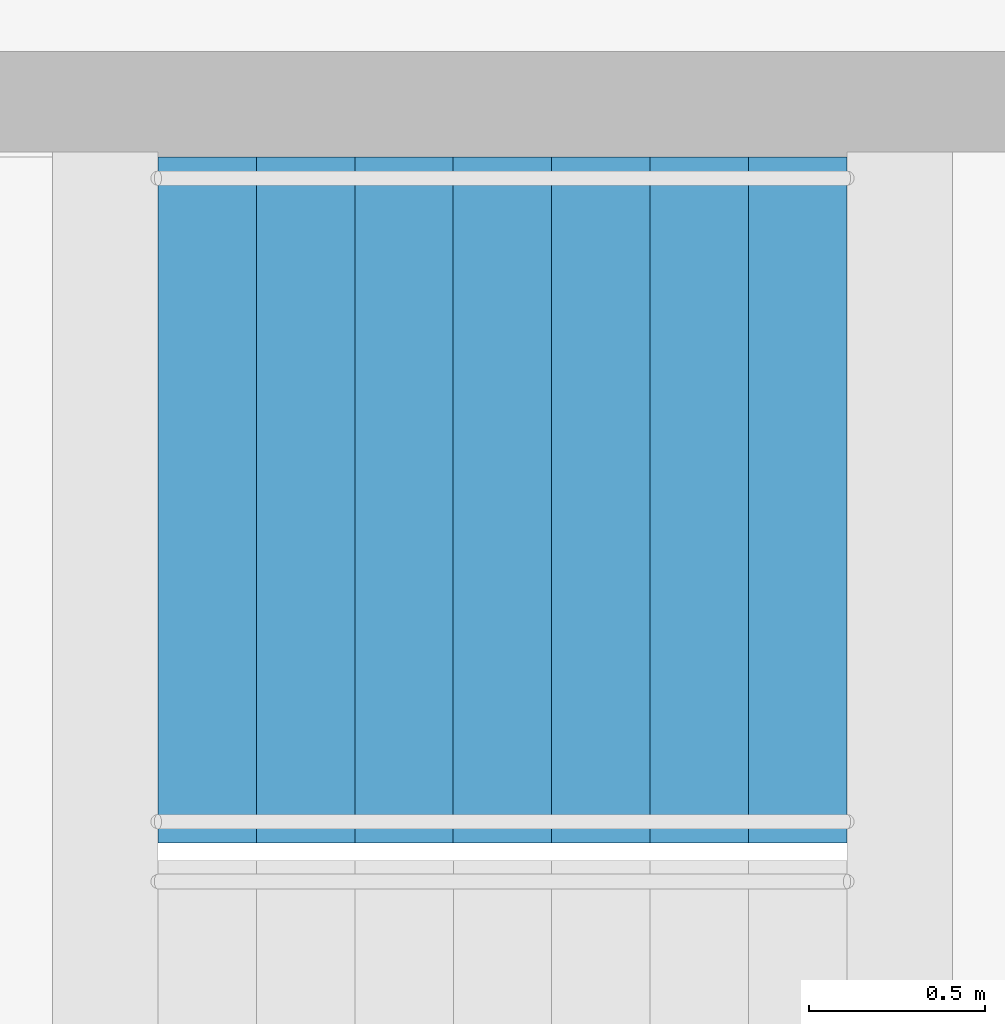
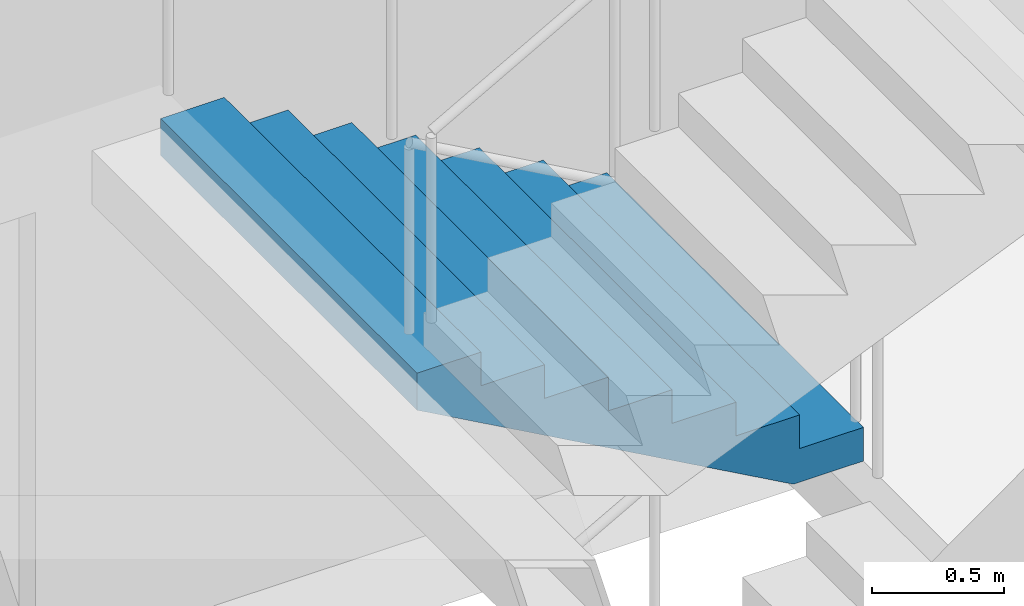
# One storey, part 22 of 37: 1 stair flight, 1 element without a shape of its own.
"""IFC4 building model written with IfcOpenShell, lengths in metres."""

import ifcopenshell
import ifcopenshell.guid

model = None  # the IFC model being written
_history = None  # IfcOwnerHistory: only IFC2X3 demands one
_inside = {}  # id of a spatial element -> (the spatial element, [elements in it])
_under = {}  # id of a project, library or spatial element -> (it, [spatial elements below it])
_declared = {}  # id of a project -> (the project, [libraries it declares])
_typed = {}  # id of a type object -> (the type object, [elements of that type])
_made_of = {}  # id of a material, layer set ... -> (it, [elements and type objects made of it])


def new_model(schema):
    """Start an empty IFC model of exactly this schema.

    Asked for "IFC4X3", IfcOpenShell would pick the latest addendum, in which some entities
    have other attributes; the version numbers below select the first issue.
    IFC2X3 requires an IfcOwnerHistory on every rooted entity: one is made here for all.
    """
    global model, _history
    if schema == "IFC4X3":
        model = ifcopenshell.file(schema_version=(4, 3, 0, 0))
    else:
        model = ifcopenshell.file(schema=schema)
    _inside.clear()
    _under.clear()
    _declared.clear()
    _typed.clear()
    _made_of.clear()
    _history = None
    if model.schema == "IFC2X3":
        org = make("IfcOrganization", Name="unknown")
        user = make(
            "IfcPersonAndOrganization",
            ThePerson=make("IfcPerson", FamilyName="unknown"),
            TheOrganization=org,
        )
        app = make(
            "IfcApplication",
            ApplicationDeveloper=org,
            Version="unknown",
            ApplicationFullName="unknown",
            ApplicationIdentifier="unknown",
        )
        _history = make(
            "IfcOwnerHistory",
            OwningUser=user,
            OwningApplication=app,
            ChangeAction="ADDED",
            CreationDate=0,
        )
    return model


def make(cls, **values):
    """One entity of the class cls with the attributes given. An attribute that is None is left unset."""
    return model.create_entity(
        cls, **{name: value for name, value in values.items() if value is not None}
    )


def rooted(cls, **values):
    """An entity with a GlobalId (a new one), such as an element, a storey or a relation."""
    return make(cls, GlobalId=ifcopenshell.guid.new(), OwnerHistory=_history, **values)


def si_unit(unit_type, name, prefix=None):
    """IfcSIUnit, for example si_unit("LENGTHUNIT", "METRE", prefix="MILLI")."""
    return make("IfcSIUnit", UnitType=unit_type, Prefix=prefix, Name=name)


def assignment(units):
    """IfcUnitAssignment: the units of a project."""
    return None if units is None else make("IfcUnitAssignment", Units=units)


def point(xyz):
    """IfcCartesianPoint."""
    return None if xyz is None else make("IfcCartesianPoint", Coordinates=xyz)


def direction(xyz):
    """IfcDirection."""
    return None if xyz is None else make("IfcDirection", DirectionRatios=xyz)


def frame(location, z_axis=None, x_axis=None):
    """IfcAxis2Placement3D, a coordinate frame: its origin and axes. An axis left out is left unset."""
    return make(
        "IfcAxis2Placement3D",
        Location=point(location),
        Axis=direction(z_axis),
        RefDirection=direction(x_axis),
    )


def origin():
    """The frame at (0, 0, 0) with its axes left unset."""
    return frame((0.0, 0.0, 0.0))


def place(relative_to, where):
    """IfcLocalPlacement: puts the frame where relative to a parent placement (None: the world)."""
    return make(
        "IfcLocalPlacement", PlacementRelTo=relative_to, RelativePlacement=where
    )


def context(
    kind, dimensions, precision=None, world=None, true_north=None, identifier=None
):
    """IfcGeometricRepresentationContext, for example the 3D "Model" context."""
    return make(
        "IfcGeometricRepresentationContext",
        ContextIdentifier=identifier,
        ContextType=kind,
        CoordinateSpaceDimension=dimensions,
        Precision=precision,
        WorldCoordinateSystem=world,
        TrueNorth=true_north,
    )


def subcontext(parent, identifier, kind, view, scale=None):
    """IfcGeometricRepresentationSubContext, for example "Body" below "Model"."""
    return make(
        "IfcGeometricRepresentationSubContext",
        ContextIdentifier=identifier,
        ContextType=kind,
        ParentContext=parent,
        TargetScale=scale,
        TargetView=view,
    )


def project(units=None, contexts=None):
    """IfcProject with its units and contexts."""
    return rooted(
        "IfcProject",
        Name="project",
        RepresentationContexts=contexts,
        UnitsInContext=assignment(units),
    )


def spatial(cls, under=None, at=None, **own):
    """A site, building, storey or space (cls), placed at a placement, below another one or the project."""
    s = rooted(cls, ObjectPlacement=at, **own)
    if under is not None:
        _under.setdefault(under.id(), (under, []))[1].append(s)
    return s


def point_list(points):
    """IfcCartesianPointList2D or 3D."""
    cls = (
        "IfcCartesianPointList2D" if len(points[0]) == 2 else "IfcCartesianPointList3D"
    )
    return make(cls, CoordList=points)


def triangles(points, corners, closed=None, point_numbers=None):
    """IfcTriangulatedFaceSet: each triangle names its three corners, points numbered from 1."""
    return make(
        "IfcTriangulatedFaceSet",
        Coordinates=point_list(points),
        Closed=closed,
        CoordIndex=corners,
        PnIndex=point_numbers,
    )


def shape(context_of_items, identifier, shape_type, items):
    """IfcShapeRepresentation: the items that make up one representation, for example the "Body"."""
    return make(
        "IfcShapeRepresentation",
        ContextOfItems=context_of_items,
        RepresentationIdentifier=identifier,
        RepresentationType=shape_type,
        Items=items,
    )


def material(Name=None, Category=None):
    """IfcMaterial."""
    return make("IfcMaterial", Name=Name, Category=Category)


def made_of(thing, what):
    """Note that an element or type object is made of a material, layer set ...; save() writes the relation."""
    if what is not None:
        _made_of.setdefault(what.id(), (what, []))[1].append(thing)
    return thing


def type_object(cls, material=None, **own):
    """A type object (cls), such as IfcWallType, which elements share."""
    return made_of(rooted(cls, **own), material)


def element(
    cls,
    number,
    at=None,
    inside=None,
    cuts=None,
    type_object=None,
    material=None,
    context=None,
    identifier="Body",
    shape_type=None,
    held_by="IfcProductDefinitionShape",
    body=None,
    shapes=None,
    **own,
):
    """One element of the class cls, such as IfcWall. Its Tag is "e" and its number.

    at: its placement. inside: the storey or other place that contains it. cuts: it is an
    opening in that element (IfcRelVoidsElement). A single representation is given by context,
    identifier, shape_type and body (its items); several are given by shapes. held_by: the class
    of the entity that holds the representations. save() writes the other relations.
    """
    e = rooted(cls, Tag="e%d" % number, ObjectPlacement=at, **own)
    if body is not None:
        shapes = [shape(context, identifier, shape_type, body)]
    if shapes is not None:
        e.Representation = make(held_by, Representations=shapes)
    if inside is not None:
        _inside.setdefault(inside.id(), (inside, []))[1].append(e)
    if cuts is not None:
        rooted(
            "IfcRelVoidsElement", RelatingBuildingElement=cuts, RelatedOpeningElement=e
        )
    if type_object is not None:
        _typed.setdefault(type_object.id(), (type_object, []))[1].append(e)
    return made_of(e, material)


def aggregate(whole, parts):
    """IfcRelAggregates: a whole, such as a stair, and the parts it consists of."""
    return rooted("IfcRelAggregates", RelatingObject=whole, RelatedObjects=parts)


def save(model, path):
    """Write the relations noted so far, then the file.

    IfcRelAggregates (storeys below a building ...), IfcRelContainedInSpatialStructure (elements
    in a storey), IfcRelDefinesByType, IfcRelAssociatesMaterial and IfcRelDeclares: one each for
    every whole, place, type object, material and project.
    """
    for whole, parts in _under.values():
        aggregate(whole, parts)
    for where, things in _inside.values():
        rooted(
            "IfcRelContainedInSpatialStructure",
            RelatedElements=things,
            RelatingStructure=where,
        )
    for kind, things in _typed.values():
        rooted("IfcRelDefinesByType", RelatedObjects=things, RelatingType=kind)
    for what, things in _made_of.values():
        rooted("IfcRelAssociatesMaterial", RelatedObjects=things, RelatingMaterial=what)
    for by, libraries in _declared.values():
        rooted("IfcRelDeclares", RelatingContext=by, RelatedDefinitions=libraries)
    model.write(path)


model = new_model("IFC4")

# Units and contexts
model_context = context("Model", 3, precision=1e-05, world=origin(), true_north=direction((0.0, 1.0)))
body_context = subcontext(model_context, "Body", "Model", "MODEL_VIEW")
ifc_project = project(units=[si_unit("LENGTHUNIT", "METRE"), si_unit("AREAUNIT", "SQUARE_METRE"), si_unit("VOLUMEUNIT", "CUBIC_METRE"), si_unit("PLANEANGLEUNIT", "RADIAN"), si_unit("MASSUNIT", "GRAM", prefix="KILO")], contexts=[model_context])

# Site, building, storey
site_placement = place(None, origin())
site = spatial("IfcSite", under=ifc_project, at=site_placement, CompositionType="ELEMENT")
building_placement = place(site_placement, origin())
building = spatial("IfcBuilding", under=site, at=building_placement, Name="Orbita Commons", CompositionType="ELEMENT")
storey_placement = place(building_placement, frame((0.0, 0.0, 6.0)))
storey = spatial("IfcBuildingStorey", under=building, at=storey_placement, Name="L01", CompositionType="ELEMENT", Elevation=6.0)

# Stair, stair flight
ifc_material_1 = material(Name="Precast concrete C40/50", Category="concrete")
stair_type = type_object("IfcStairType", Name="Exit stair S1 4 flights 8 risers 156", PredefinedType="HALF_TURN_STAIR", material=ifc_material_1)
stair_placement = place(storey_placement, origin())
stair = element("IfcStair", 1, at=stair_placement, inside=storey, type_object=stair_type, Name="Exit stair S1 L01", PredefinedType="HALF_TURN_STAIR")
ifc_material_2 = material(Name="Precast concrete C40/50", Category="concrete")
stair_flight_type = type_object("IfcStairFlightType", Name="Stair flight 8 risers 156 x 280", PredefinedType="STRAIGHT", material=ifc_material_2)
stair_flight_placement = place(storey_placement, frame((22.409912109375, 29.27490234375, 1.25), z_axis=(0.0, 0.0, 1.0), x_axis=(-1.0, 0.0, 0.0)))
stair_flight = element("IfcStairFlight", 2, at=stair_flight_placement, type_object=stair_flight_type, Name="S1 flight 2", NumberOfRisers=8, NumberOfTreads=7, PredefinedType="STRAIGHT", RiserHeight=0.15625, TreadLength=0.28, context=body_context, shape_type="Tessellation", body=[
    triangles([(0.0, 0.974976, 0.0), (0.0, 0.974976, 0.019531), (0.0, 0.81248, 0.019531), (0.0, 0.81248, 0.0), (0.0, 0.649984, 0.019531), (0.0, 0.649984, 0.0), (0.0, 0.487488, 0.019531), (0.0, 0.487488, 0.0), (0.0, 0.324992, 0.019531), (0.0, 0.324992, 0.0), (0.0, 0.162496, 0.019531), (0.0, 0.162496, 0.0), (0.0, 0.0, 0.019531), (0.0, 0.0, 0.0), (0.0, -0.162496, 0.019531), (0.0, -0.162496, 0.0), (0.0, -0.324992, 0.019531), (0.0, -0.324992, 0.0), (0.0, -0.487488, 0.019531), (0.0, -0.487488, 0.0), (0.0, -0.649984, 0.019531), (0.0, -0.649984, 0.0), (0.0, -0.81248, 0.019531), (0.0, -0.81248, 0.0), (0.0, -0.974976, 0.019531), (0.0, -0.974976, 0.0), (0.0, 0.974976, 0.039062), (0.0, 0.81248, 0.039062), (0.0, 0.649984, 0.039062), (0.0, 0.487488, 0.039062), (0.0, 0.324992, 0.039062), (0.0, 0.162496, 0.039062), (0.0, 0.0, 0.039062), (0.0, -0.162496, 0.039062), (0.0, -0.324992, 0.039062), (0.0, -0.487488, 0.039062), (0.0, -0.649984, 0.039062), (0.0, -0.81248, 0.039062), (0.0, -0.974976, 0.039062), (0.0, 0.974976, 0.058594), (0.0, 0.81248, 0.058594), (0.0, 0.649984, 0.058594), (0.0, 0.487488, 0.058594), (0.0, 0.324992, 0.058594), (0.0, 0.162496, 0.058594), (0.0, 0.0, 0.058594), (0.0, -0.162496, 0.058594), (0.0, -0.324992, 0.058594), (0.0, -0.487488, 0.058594), (0.0, -0.649984, 0.058594), (0.0, -0.81248, 0.058594), (0.0, -0.974976, 0.058594), (0.0, 0.974976, 0.078125), (0.0, 0.81248, 0.078125), (0.0, 0.649984, 0.078125), (0.0, 0.487488, 0.078125), (0.0, 0.324992, 0.078125), (0.0, 0.162496, 0.078125), (0.0, 0.0, 0.078125), (0.0, -0.162496, 0.078125), (0.0, -0.324992, 0.078125), (0.0, -0.487488, 0.078125), (0.0, -0.649984, 0.078125), (0.0, -0.81248, 0.078125), (0.0, -0.974976, 0.078125), (0.0, 0.974976, 0.097656), (0.0, 0.81248, 0.097656), (0.0, 0.649984, 0.097656), (0.0, 0.487488, 0.097656), (0.0, 0.324992, 0.097656), (0.0, 0.162496, 0.097656), (0.0, 0.0, 0.097656), (0.0, -0.162496, 0.097656), (0.0, -0.324992, 0.097656), (0.0, -0.487488, 0.097656), (0.0, -0.649984, 0.097656), (0.0, -0.81248, 0.097656), (0.0, -0.974976, 0.097656), (0.0, 0.974976, 0.117188), (0.0, 0.81248, 0.117188), (0.0, 0.649984, 0.117188), (0.0, 0.487488, 0.117188), (0.0, 0.324992, 0.117188), (0.0, 0.162496, 0.117188), (0.0, 0.0, 0.117188), (0.0, -0.162496, 0.117188), (0.0, -0.324992, 0.117188), (0.0, -0.487488, 0.117188), (0.0, -0.649984, 0.117188), (0.0, -0.81248, 0.117188), (0.0, -0.974976, 0.117188), (0.0, 0.974976, 0.136719), (0.0, 0.81248, 0.136719), (0.0, 0.649984, 0.136719), (0.0, 0.487488, 0.136719), (0.0, 0.324992, 0.136719), (0.0, 0.162496, 0.136719), (0.0, 0.0, 0.136719), (0.0, -0.162496, 0.136719), (0.0, -0.324992, 0.136719), (0.0, -0.487488, 0.136719), (0.0, -0.649984, 0.136719), (0.0, -0.81248, 0.136719), (0.0, -0.974976, 0.136719), (0.0, 0.974976, 0.15625), (0.0, 0.81248, 0.15625), (0.0, 0.649984, 0.15625), (0.0, 0.487488, 0.15625), (0.0, 0.324992, 0.15625), (0.0, 0.162496, 0.15625), (0.0, 0.0, 0.15625), (0.0, -0.162496, 0.15625), (0.0, -0.324992, 0.15625), (0.0, -0.487488, 0.15625), (0.0, -0.649984, 0.15625), (0.0, -0.81248, 0.15625), (0.0, -0.974976, 0.15625), (0.28, 0.974976, 0.15625), (0.28, 0.81248, 0.15625), (0.28, 0.649984, 0.15625), (0.28, 0.487488, 0.15625), (0.28, 0.324992, 0.15625), (0.28, 0.162496, 0.15625), (0.28, 0.0, 0.15625), (0.28, -0.162496, 0.15625), (0.28, -0.324992, 0.15625), (0.28, -0.487488, 0.15625), (0.28, -0.649984, 0.15625), (0.28, -0.81248, 0.15625), (0.28, -0.974976, 0.15625), (0.28, 0.974976, 0.3125), (0.28, 0.81248, 0.3125), (0.28, 0.649984, 0.3125), (0.28, 0.487488, 0.3125), (0.28, 0.324992, 0.3125), (0.28, 0.162496, 0.3125), (0.28, 0.0, 0.3125), (0.28, -0.162496, 0.3125), (0.28, -0.324992, 0.3125), (0.28, -0.487488, 0.3125), (0.28, -0.649984, 0.3125), (0.28, -0.81248, 0.3125), (0.28, -0.974976, 0.3125), (0.56, 0.974976, 0.3125), (0.56, 0.81248, 0.3125), (0.56, 0.649984, 0.3125), (0.56, 0.487488, 0.3125), (0.56, 0.324992, 0.3125), (0.56, 0.162496, 0.3125), (0.56, 0.0, 0.3125), (0.56, -0.162496, 0.3125), (0.56, -0.324992, 0.3125), (0.56, -0.487488, 0.3125), (0.56, -0.649984, 0.3125), (0.56, -0.81248, 0.3125), (0.56, -0.974976, 0.3125), (0.56, 0.974976, 0.46875), (0.56, 0.81248, 0.46875), (0.56, 0.649984, 0.46875), (0.56, 0.487488, 0.46875), (0.56, 0.324992, 0.46875), (0.56, 0.162496, 0.46875), (0.56, 0.0, 0.46875), (0.56, -0.162496, 0.46875), (0.56, -0.324992, 0.46875), (0.56, -0.487488, 0.46875), (0.56, -0.649984, 0.46875), (0.56, -0.81248, 0.46875), (0.56, -0.974976, 0.46875), (0.84, 0.974976, 0.46875), (0.84, 0.81248, 0.46875), (0.84, 0.649984, 0.46875), (0.84, 0.487488, 0.46875), (0.84, 0.324992, 0.46875), (0.84, 0.162496, 0.46875), (0.84, 0.0, 0.46875), (0.84, -0.162496, 0.46875), (0.84, -0.324992, 0.46875), (0.84, -0.487488, 0.46875), (0.84, -0.649984, 0.46875), (0.84, -0.81248, 0.46875), (0.84, -0.974976, 0.46875), (0.84, 0.974976, 0.625), (0.84, 0.81248, 0.625), (0.84, 0.649984, 0.625), (0.84, 0.487488, 0.625), (0.84, 0.324992, 0.625), (0.84, 0.162496, 0.625), (0.84, 0.0, 0.625), (0.84, -0.162496, 0.625), (0.84, -0.324992, 0.625), (0.84, -0.487488, 0.625), (0.84, -0.649984, 0.625), (0.84, -0.81248, 0.625), (0.84, -0.974976, 0.625), (1.12, 0.974976, 0.625), (1.12, 0.81248, 0.625), (1.12, 0.649984, 0.625), (1.12, 0.487488, 0.625), (1.12, 0.324992, 0.625), (1.12, 0.162496, 0.625), (1.12, 0.0, 0.625), (1.12, -0.162496, 0.625), (1.12, -0.324992, 0.625), (1.12, -0.487488, 0.625), (1.12, -0.649984, 0.625), (1.12, -0.81248, 0.625), (1.12, -0.974976, 0.625), (1.12, 0.974976, 0.78125), (1.12, 0.81248, 0.78125), (1.12, 0.649984, 0.78125), (1.12, 0.487488, 0.78125), (1.12, 0.324992, 0.78125), (1.12, 0.162496, 0.78125), (1.12, 0.0, 0.78125), (1.12, -0.162496, 0.78125), (1.12, -0.324992, 0.78125), (1.12, -0.487488, 0.78125), (1.12, -0.649984, 0.78125), (1.12, -0.81248, 0.78125), (1.12, -0.974976, 0.78125), (1.4, 0.974976, 0.78125), (1.4, 0.81248, 0.78125), (1.4, 0.649984, 0.78125), (1.4, 0.487488, 0.78125), (1.4, 0.324992, 0.78125), (1.4, 0.162496, 0.78125), (1.4, 0.0, 0.78125), (1.4, -0.162496, 0.78125), (1.4, -0.324992, 0.78125), (1.4, -0.487488, 0.78125), (1.4, -0.649984, 0.78125), (1.4, -0.81248, 0.78125), (1.4, -0.974976, 0.78125), (1.4, 0.974976, 0.9375), (1.4, 0.81248, 0.9375), (1.4, 0.649984, 0.9375), (1.4, 0.487488, 0.9375), (1.4, 0.324992, 0.9375), (1.4, 0.162496, 0.9375), (1.4, 0.0, 0.9375), (1.4, -0.162496, 0.9375), (1.4, -0.324992, 0.9375), (1.4, -0.487488, 0.9375), (1.4, -0.649984, 0.9375), (1.4, -0.81248, 0.9375), (1.4, -0.974976, 0.9375), (1.68, 0.974976, 0.9375), (1.68, 0.81248, 0.9375), (1.68, 0.649984, 0.9375), (1.68, 0.487488, 0.9375), (1.68, 0.324992, 0.9375), (1.68, 0.162496, 0.9375), (1.68, 0.0, 0.9375), (1.68, -0.162496, 0.9375), (1.68, -0.324992, 0.9375), (1.68, -0.487488, 0.9375), (1.68, -0.649984, 0.9375), (1.68, -0.81248, 0.9375), (1.68, -0.974976, 0.9375), (1.68, 0.974976, 1.09375), (1.68, 0.81248, 1.09375), (1.68, 0.649984, 1.09375), (1.68, 0.487488, 1.09375), (1.68, 0.324992, 1.09375), (1.68, 0.162496, 1.09375), (1.68, 0.0, 1.09375), (1.68, -0.162496, 1.09375), (1.68, -0.324992, 1.09375), (1.68, -0.487488, 1.09375), (1.68, -0.649984, 1.09375), (1.68, -0.81248, 1.09375), (1.68, -0.974976, 1.09375), (1.96, 0.974976, 1.09375), (1.96, 0.81248, 1.09375), (1.96, 0.649984, 1.09375), (1.96, 0.487488, 1.09375), (1.96, 0.324992, 1.09375), (1.96, 0.162496, 1.09375), (1.96, 0.0, 1.09375), (1.96, -0.162496, 1.09375), (1.96, -0.324992, 1.09375), (1.96, -0.487488, 1.09375), (1.96, -0.649984, 1.09375), (1.96, -0.81248, 1.09375), (1.96, -0.974976, 1.09375), (1.96, 0.974976, 1.072292), (1.96, 0.81248, 1.072292), (1.96, 0.649984, 1.072292), (1.96, 0.487488, 1.072292), (1.96, 0.324992, 1.072292), (1.96, 0.162496, 1.072292), (1.96, 0.0, 1.072292), (1.96, -0.162496, 1.072292), (1.96, -0.324992, 1.072292), (1.96, -0.487488, 1.072292), (1.96, -0.649984, 1.072292), (1.96, -0.81248, 1.072292), (1.96, -0.974976, 1.072292), (1.96, 0.974976, 1.050834), (1.96, 0.81248, 1.050834), (1.96, 0.649984, 1.050834), (1.96, 0.487488, 1.050834), (1.96, 0.324992, 1.050834), (1.96, 0.162496, 1.050834), (1.96, 0.0, 1.050834), (1.96, -0.162496, 1.050834), (1.96, -0.324992, 1.050834), (1.96, -0.487488, 1.050834), (1.96, -0.649984, 1.050834), (1.96, -0.81248, 1.050834), (1.96, -0.974976, 1.050834), (1.96, 0.974976, 1.029376), (1.96, 0.81248, 1.029376), (1.96, 0.649984, 1.029376), (1.96, 0.487488, 1.029376), (1.96, 0.324992, 1.029376), (1.96, 0.162496, 1.029376), (1.96, 0.0, 1.029376), (1.96, -0.162496, 1.029376), (1.96, -0.324992, 1.029376), (1.96, -0.487488, 1.029376), (1.96, -0.649984, 1.029376), (1.96, -0.81248, 1.029376), (1.96, -0.974976, 1.029376), (1.96, 0.974976, 1.007919), (1.96, 0.81248, 1.007919), (1.96, 0.649984, 1.007919), (1.96, 0.487488, 1.007919), (1.96, 0.324992, 1.007919), (1.96, 0.162496, 1.007919), (1.96, 0.0, 1.007919), (1.96, -0.162496, 1.007919), (1.96, -0.324992, 1.007919), (1.96, -0.487488, 1.007919), (1.96, -0.649984, 1.007919), (1.96, -0.81248, 1.007919), (1.96, -0.974976, 1.007919), (1.96, 0.974976, 0.986461), (1.96, 0.81248, 0.986461), (1.96, 0.649984, 0.986461), (1.96, 0.487488, 0.986461), (1.96, 0.324992, 0.986461), (1.96, 0.162496, 0.986461), (1.96, 0.0, 0.986461), (1.96, -0.162496, 0.986461), (1.96, -0.324992, 0.986461), (1.96, -0.487488, 0.986461), (1.96, -0.649984, 0.986461), (1.96, -0.81248, 0.986461), (1.96, -0.974976, 0.986461), (1.96, 0.974976, 0.965003), (1.96, 0.81248, 0.965003), (1.96, 0.649984, 0.965003), (1.96, 0.487488, 0.965003), (1.96, 0.324992, 0.965003), (1.96, 0.162496, 0.965003), (1.96, 0.0, 0.965003), (1.96, -0.162496, 0.965003), (1.96, -0.324992, 0.965003), (1.96, -0.487488, 0.965003), (1.96, -0.649984, 0.965003), (1.96, -0.81248, 0.965003), (1.96, -0.974976, 0.965003), (1.96, 0.974976, 0.943545), (1.96, 0.81248, 0.943545), (1.96, 0.649984, 0.943545), (1.96, 0.487488, 0.943545), (1.96, 0.324992, 0.943545), (1.96, 0.162496, 0.943545), (1.96, 0.0, 0.943545), (1.96, -0.162496, 0.943545), (1.96, -0.324992, 0.943545), (1.96, -0.487488, 0.943545), (1.96, -0.649984, 0.943545), (1.96, -0.81248, 0.943545), (1.96, -0.974976, 0.943545), (1.96, 0.974976, 0.922087), (1.96, 0.81248, 0.922087), (1.96, 0.649984, 0.922087), (1.96, 0.487488, 0.922087), (1.96, 0.324992, 0.922087), (1.96, 0.162496, 0.922087), (1.96, 0.0, 0.922087), (1.96, -0.162496, 0.922087), (1.96, -0.324992, 0.922087), (1.96, -0.487488, 0.922087), (1.96, -0.649984, 0.922087), (1.96, -0.81248, 0.922087), (1.96, -0.974976, 0.922087), (0.30762, 0.974976, 0.0), (0.30762, 0.81248, 0.0), (0.30762, 0.649984, 0.0), (0.30762, 0.487488, 0.0), (0.30762, 0.324992, 0.0), (0.30762, 0.162496, 0.0), (0.30762, 0.0, 0.0), (0.30762, -0.162496, 0.0), (0.30762, -0.324992, 0.0), (0.30762, -0.487488, 0.0), (0.30762, -0.649984, 0.0), (0.30762, -0.81248, 0.0), (0.30762, -0.974976, 0.0)], [[3, 2, 1], [4, 3, 1], [5, 3, 4], [6, 5, 4], [7, 5, 6], [8, 7, 6], [9, 7, 8], [10, 9, 8], [11, 9, 10], [12, 11, 10], [13, 11, 12], [14, 13, 12], [15, 13, 14], [16, 15, 14], [17, 15, 16], [18, 17, 16], [19, 17, 18], [20, 19, 18], [21, 19, 20], [22, 21, 20], [23, 21, 22], [24, 23, 22], [25, 23, 24], [26, 25, 24], [28, 27, 2], [3, 28, 2], [29, 28, 3], [5, 29, 3], [30, 29, 5], [7, 30, 5], [31, 30, 7], [9, 31, 7], [32, 31, 9], [11, 32, 9], [33, 32, 11], [13, 33, 11], [34, 33, 13], [15, 34, 13], [35, 34, 15], [17, 35, 15], [36, 35, 17], [19, 36, 17], [37, 36, 19], [21, 37, 19], [38, 37, 21], [23, 38, 21], [39, 38, 23], [25, 39, 23], [41, 40, 27], [28, 41, 27], [42, 41, 28], [29, 42, 28], [43, 42, 29], [30, 43, 29], [44, 43, 30], [31, 44, 30], [45, 44, 31], [32, 45, 31], [46, 45, 32], [33, 46, 32], [47, 46, 33], [34, 47, 33], [48, 47, 34], [35, 48, 34], [49, 48, 35], [36, 49, 35], [50, 49, 36], [37, 50, 36], [51, 50, 37], [38, 51, 37], [52, 51, 38], [39, 52, 38], [54, 53, 40], [41, 54, 40], [55, 54, 41], [42, 55, 41], [56, 55, 42], [43, 56, 42], [57, 56, 43], [44, 57, 43], [58, 57, 44], [45, 58, 44], [59, 58, 45], [46, 59, 45], [60, 59, 46], [47, 60, 46], [61, 60, 47], [48, 61, 47], [62, 61, 48], [49, 62, 48], [63, 62, 49], [50, 63, 49], [64, 63, 50], [51, 64, 50], [65, 64, 51], [52, 65, 51], [67, 66, 53], [54, 67, 53], [68, 67, 54], [55, 68, 54], [69, 68, 55], [56, 69, 55], [70, 69, 56], [57, 70, 56], [71, 70, 57], [58, 71, 57], [72, 71, 58], [59, 72, 58], [73, 72, 59], [60, 73, 59], [74, 73, 60], [61, 74, 60], [75, 74, 61], [62, 75, 61], [76, 75, 62], [63, 76, 62], [77, 76, 63], [64, 77, 63], [78, 77, 64], [65, 78, 64], [80, 79, 66], [67, 80, 66], [81, 80, 67], [68, 81, 67], [82, 81, 68], [69, 82, 68], [83, 82, 69], [70, 83, 69], [84, 83, 70], [71, 84, 70], [85, 84, 71], [72, 85, 71], [86, 85, 72], [73, 86, 72], [87, 86, 73], [74, 87, 73], [88, 87, 74], [75, 88, 74], [89, 88, 75], [76, 89, 75], [90, 89, 76], [77, 90, 76], [91, 90, 77], [78, 91, 77], [93, 92, 79], [80, 93, 79], [94, 93, 80], [81, 94, 80], [95, 94, 81], [82, 95, 81], [96, 95, 82], [83, 96, 82], [97, 96, 83], [84, 97, 83], [98, 97, 84], [85, 98, 84], [99, 98, 85], [86, 99, 85], [100, 99, 86], [87, 100, 86], [101, 100, 87], [88, 101, 87], [102, 101, 88], [89, 102, 88], [103, 102, 89], [90, 103, 89], [104, 103, 90], [91, 104, 90], [106, 105, 92], [93, 106, 92], [107, 106, 93], [94, 107, 93], [108, 107, 94], [95, 108, 94], [109, 108, 95], [96, 109, 95], [110, 109, 96], [97, 110, 96], [111, 110, 97], [98, 111, 97], [112, 111, 98], [99, 112, 98], [113, 112, 99], [100, 113, 99], [114, 113, 100], [101, 114, 100], [115, 114, 101], [102, 115, 101], [116, 115, 102], [103, 116, 102], [117, 116, 103], [104, 117, 103], [119, 118, 105], [106, 119, 105], [120, 119, 106], [107, 120, 106], [121, 120, 107], [108, 121, 107], [122, 121, 108], [109, 122, 108], [123, 122, 109], [110, 123, 109], [124, 123, 110], [111, 124, 110], [125, 124, 111], [112, 125, 111], [126, 125, 112], [113, 126, 112], [127, 126, 113], [114, 127, 113], [128, 127, 114], [115, 128, 114], [129, 128, 115], [116, 129, 115], [130, 129, 116], [117, 130, 116], [132, 131, 118], [119, 132, 118], [133, 132, 119], [120, 133, 119], [134, 133, 120], [121, 134, 120], [135, 134, 121], [122, 135, 121], [136, 135, 122], [123, 136, 122], [137, 136, 123], [124, 137, 123], [138, 137, 124], [125, 138, 124], [139, 138, 125], [126, 139, 125], [140, 139, 126], [127, 140, 126], [141, 140, 127], [128, 141, 127], [142, 141, 128], [129, 142, 128], [143, 142, 129], [130, 143, 129], [145, 144, 131], [132, 145, 131], [146, 145, 132], [133, 146, 132], [147, 146, 133], [134, 147, 133], [148, 147, 134], [135, 148, 134], [149, 148, 135], [136, 149, 135], [150, 149, 136], [137, 150, 136], [151, 150, 137], [138, 151, 137], [152, 151, 138], [139, 152, 138], [153, 152, 139], [140, 153, 139], [154, 153, 140], [141, 154, 140], [155, 154, 141], [142, 155, 141], [156, 155, 142], [143, 156, 142], [158, 157, 144], [145, 158, 144], [159, 158, 145], [146, 159, 145], [160, 159, 146], [147, 160, 146], [161, 160, 147], [148, 161, 147], [162, 161, 148], [149, 162, 148], [163, 162, 149], [150, 163, 149], [164, 163, 150], [151, 164, 150], [165, 164, 151], [152, 165, 151], [166, 165, 152], [153, 166, 152], [167, 166, 153], [154, 167, 153], [168, 167, 154], [155, 168, 154], [169, 168, 155], [156, 169, 155], [171, 170, 157], [158, 171, 157], [172, 171, 158], [159, 172, 158], [173, 172, 159], [160, 173, 159], [174, 173, 160], [161, 174, 160], [175, 174, 161], [162, 175, 161], [176, 175, 162], [163, 176, 162], [177, 176, 163], [164, 177, 163], [178, 177, 164], [165, 178, 164], [179, 178, 165], [166, 179, 165], [180, 179, 166], [167, 180, 166], [181, 180, 167], [168, 181, 167], [182, 181, 168], [169, 182, 168], [184, 183, 170], [171, 184, 170], [185, 184, 171], [172, 185, 171], [186, 185, 172], [173, 186, 172], [187, 186, 173], [174, 187, 173], [188, 187, 174], [175, 188, 174], [189, 188, 175], [176, 189, 175], [190, 189, 176], [177, 190, 176], [191, 190, 177], [178, 191, 177], [192, 191, 178], [179, 192, 178], [193, 192, 179], [180, 193, 179], [194, 193, 180], [181, 194, 180], [195, 194, 181], [182, 195, 181], [197, 196, 183], [184, 197, 183], [198, 197, 184], [185, 198, 184], [199, 198, 185], [186, 199, 185], [200, 199, 186], [187, 200, 186], [201, 200, 187], [188, 201, 187], [202, 201, 188], [189, 202, 188], [203, 202, 189], [190, 203, 189], [204, 203, 190], [191, 204, 190], [205, 204, 191], [192, 205, 191], [206, 205, 192], [193, 206, 192], [207, 206, 193], [194, 207, 193], [208, 207, 194], [195, 208, 194], [210, 209, 196], [197, 210, 196], [211, 210, 197], [198, 211, 197], [212, 211, 198], [199, 212, 198], [213, 212, 199], [200, 213, 199], [214, 213, 200], [201, 214, 200], [215, 214, 201], [202, 215, 201], [216, 215, 202], [203, 216, 202], [217, 216, 203], [204, 217, 203], [218, 217, 204], [205, 218, 204], [219, 218, 205], [206, 219, 205], [220, 219, 206], [207, 220, 206], [221, 220, 207], [208, 221, 207], [223, 222, 209], [210, 223, 209], [224, 223, 210], [211, 224, 210], [225, 224, 211], [212, 225, 211], [226, 225, 212], [213, 226, 212], [227, 226, 213], [214, 227, 213], [228, 227, 214], [215, 228, 214], [229, 228, 215], [216, 229, 215], [230, 229, 216], [217, 230, 216], [231, 230, 217], [218, 231, 217], [232, 231, 218], [219, 232, 218], [233, 232, 219], [220, 233, 219], [234, 233, 220], [221, 234, 220], [236, 235, 222], [223, 236, 222], [237, 236, 223], [224, 237, 223], [238, 237, 224], [225, 238, 224], [239, 238, 225], [226, 239, 225], [240, 239, 226], [227, 240, 226], [241, 240, 227], [228, 241, 227], [242, 241, 228], [229, 242, 228], [243, 242, 229], [230, 243, 229], [244, 243, 230], [231, 244, 230], [245, 244, 231], [232, 245, 231], [246, 245, 232], [233, 246, 232], [247, 246, 233], [234, 247, 233], [249, 248, 235], [236, 249, 235], [250, 249, 236], [237, 250, 236], [251, 250, 237], [238, 251, 237], [252, 251, 238], [239, 252, 238], [253, 252, 239], [240, 253, 239], [254, 253, 240], [241, 254, 240], [255, 254, 241], [242, 255, 241], [256, 255, 242], [243, 256, 242], [257, 256, 243], [244, 257, 243], [258, 257, 244], [245, 258, 244], [259, 258, 245], [246, 259, 245], [260, 259, 246], [247, 260, 246], [262, 261, 248], [249, 262, 248], [263, 262, 249], [250, 263, 249], [264, 263, 250], [251, 264, 250], [265, 264, 251], [252, 265, 251], [266, 265, 252], [253, 266, 252], [267, 266, 253], [254, 267, 253], [268, 267, 254], [255, 268, 254], [269, 268, 255], [256, 269, 255], [270, 269, 256], [257, 270, 256], [271, 270, 257], [258, 271, 257], [272, 271, 258], [259, 272, 258], [273, 272, 259], [260, 273, 259], [275, 274, 261], [262, 275, 261], [276, 275, 262], [263, 276, 262], [277, 276, 263], [264, 277, 263], [278, 277, 264], [265, 278, 264], [279, 278, 265], [266, 279, 265], [280, 279, 266], [267, 280, 266], [281, 280, 267], [268, 281, 267], [282, 281, 268], [269, 282, 268], [283, 282, 269], [270, 283, 269], [284, 283, 270], [271, 284, 270], [285, 284, 271], [272, 285, 271], [286, 285, 272], [273, 286, 272], [288, 287, 274], [275, 288, 274], [289, 288, 275], [276, 289, 275], [290, 289, 276], [277, 290, 276], [291, 290, 277], [278, 291, 277], [292, 291, 278], [279, 292, 278], [293, 292, 279], [280, 293, 279], [294, 293, 280], [281, 294, 280], [295, 294, 281], [282, 295, 281], [296, 295, 282], [283, 296, 282], [297, 296, 283], [284, 297, 283], [298, 297, 284], [285, 298, 284], [299, 298, 285], [286, 299, 285], [301, 300, 287], [288, 301, 287], [302, 301, 288], [289, 302, 288], [303, 302, 289], [290, 303, 289], [304, 303, 290], [291, 304, 290], [305, 304, 291], [292, 305, 291], [306, 305, 292], [293, 306, 292], [307, 306, 293], [294, 307, 293], [308, 307, 294], [295, 308, 294], [309, 308, 295], [296, 309, 295], [310, 309, 296], [297, 310, 296], [311, 310, 297], [298, 311, 297], [312, 311, 298], [299, 312, 298], [314, 313, 300], [301, 314, 300], [315, 314, 301], [302, 315, 301], [316, 315, 302], [303, 316, 302], [317, 316, 303], [304, 317, 303], [318, 317, 304], [305, 318, 304], [319, 318, 305], [306, 319, 305], [320, 319, 306], [307, 320, 306], [321, 320, 307], [308, 321, 307], [322, 321, 308], [309, 322, 308], [323, 322, 309], [310, 323, 309], [324, 323, 310], [311, 324, 310], [325, 324, 311], [312, 325, 311], [327, 326, 313], [314, 327, 313], [328, 327, 314], [315, 328, 314], [329, 328, 315], [316, 329, 315], [330, 329, 316], [317, 330, 316], [331, 330, 317], [318, 331, 317], [332, 331, 318], [319, 332, 318], [333, 332, 319], [320, 333, 319], [334, 333, 320], [321, 334, 320], [335, 334, 321], [322, 335, 321], [336, 335, 322], [323, 336, 322], [337, 336, 323], [324, 337, 323], [338, 337, 324], [325, 338, 324], [340, 339, 326], [327, 340, 326], [341, 340, 327], [328, 341, 327], [342, 341, 328], [329, 342, 328], [343, 342, 329], [330, 343, 329], [344, 343, 330], [331, 344, 330], [345, 344, 331], [332, 345, 331], [346, 345, 332], [333, 346, 332], [347, 346, 333], [334, 347, 333], [348, 347, 334], [335, 348, 334], [349, 348, 335], [336, 349, 335], [350, 349, 336], [337, 350, 336], [351, 350, 337], [338, 351, 337], [353, 352, 339], [340, 353, 339], [354, 353, 340], [341, 354, 340], [355, 354, 341], [342, 355, 341], [356, 355, 342], [343, 356, 342], [357, 356, 343], [344, 357, 343], [358, 357, 344], [345, 358, 344], [359, 358, 345], [346, 359, 345], [360, 359, 346], [347, 360, 346], [361, 360, 347], [348, 361, 347], [362, 361, 348], [349, 362, 348], [363, 362, 349], [350, 363, 349], [364, 363, 350], [351, 364, 350], [366, 365, 352], [353, 366, 352], [367, 366, 353], [354, 367, 353], [368, 367, 354], [355, 368, 354], [369, 368, 355], [356, 369, 355], [370, 369, 356], [357, 370, 356], [371, 370, 357], [358, 371, 357], [372, 371, 358], [359, 372, 358], [373, 372, 359], [360, 373, 359], [374, 373, 360], [361, 374, 360], [375, 374, 361], [362, 375, 361], [376, 375, 362], [363, 376, 362], [377, 376, 363], [364, 377, 363], [379, 378, 365], [366, 379, 365], [380, 379, 366], [367, 380, 366], [381, 380, 367], [368, 381, 367], [382, 381, 368], [369, 382, 368], [383, 382, 369], [370, 383, 369], [384, 383, 370], [371, 384, 370], [385, 384, 371], [372, 385, 371], [386, 385, 372], [373, 386, 372], [387, 386, 373], [374, 387, 373], [388, 387, 374], [375, 388, 374], [389, 388, 375], [376, 389, 375], [390, 389, 376], [377, 390, 376], [392, 391, 378], [379, 392, 378], [393, 392, 379], [380, 393, 379], [394, 393, 380], [381, 394, 380], [395, 394, 381], [382, 395, 381], [396, 395, 382], [383, 396, 382], [397, 396, 383], [384, 397, 383], [398, 397, 384], [385, 398, 384], [399, 398, 385], [386, 399, 385], [400, 399, 386], [387, 400, 386], [401, 400, 387], [388, 401, 387], [402, 401, 388], [389, 402, 388], [403, 402, 389], [390, 403, 389], [4, 1, 391], [392, 4, 391], [6, 4, 392], [393, 6, 392], [8, 6, 393], [394, 8, 393], [10, 8, 394], [395, 10, 394], [12, 10, 395], [396, 12, 395], [14, 12, 396], [397, 14, 396], [16, 14, 397], [398, 16, 397], [18, 16, 398], [399, 18, 398], [20, 18, 399], [400, 20, 399], [22, 20, 400], [401, 22, 400], [24, 22, 401], [402, 24, 401], [26, 24, 402], [403, 26, 402], [378, 391, 1], [26, 403, 390], [365, 378, 1], [26, 390, 377], [352, 365, 1], [26, 377, 364], [339, 352, 1], [26, 364, 351], [326, 339, 1], [26, 351, 338], [313, 326, 1], [26, 338, 325], [300, 313, 1], [26, 325, 312], [287, 300, 1], [26, 312, 299], [261, 274, 287], [299, 286, 273], [248, 261, 287], [299, 273, 260], [222, 235, 248], [260, 247, 234], [222, 248, 287], [299, 260, 234], [196, 209, 222], [234, 221, 208], [196, 222, 287], [299, 234, 208], [170, 183, 196], [208, 195, 182], [170, 196, 287], [299, 208, 182], [144, 157, 170], [182, 169, 156], [144, 170, 287], [299, 182, 156], [118, 131, 144], [156, 143, 130], [118, 144, 287], [299, 156, 130], [118, 287, 1], [26, 299, 130], [92, 105, 118], [130, 117, 104], [79, 92, 118], [130, 104, 91], [66, 79, 118], [130, 91, 78], [53, 66, 118], [130, 78, 65], [40, 53, 118], [130, 65, 52], [27, 40, 118], [130, 52, 39], [2, 27, 118], [130, 39, 25], [1, 2, 118], [130, 25, 26]], closed=True),
])
aggregate(stair, [stair_flight])

save(model, "model.ifc")
